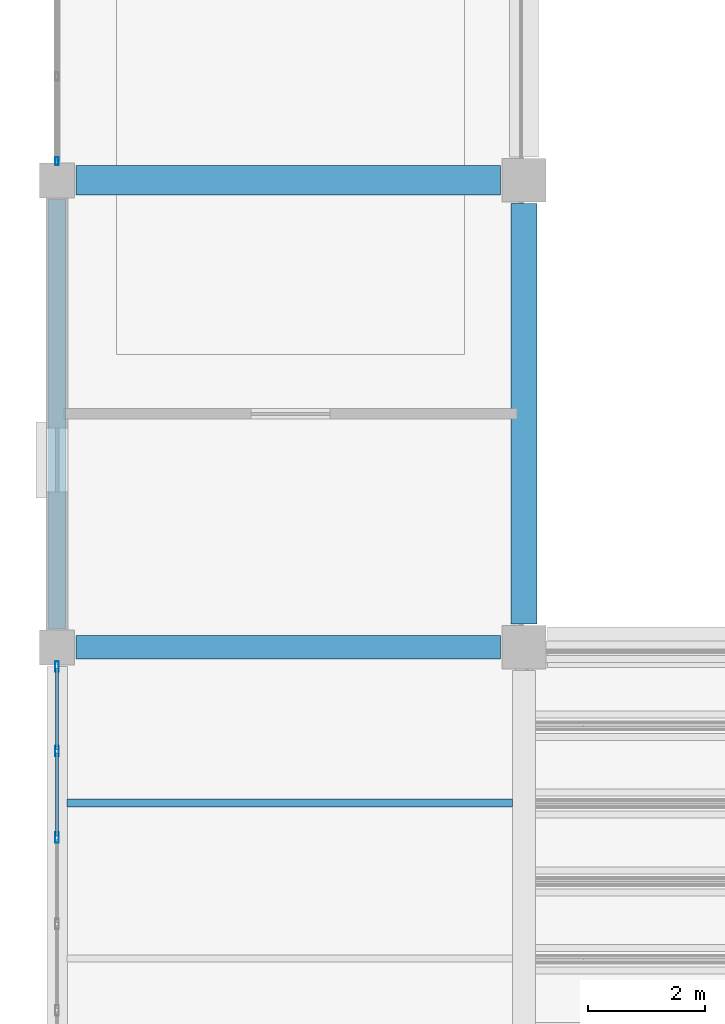
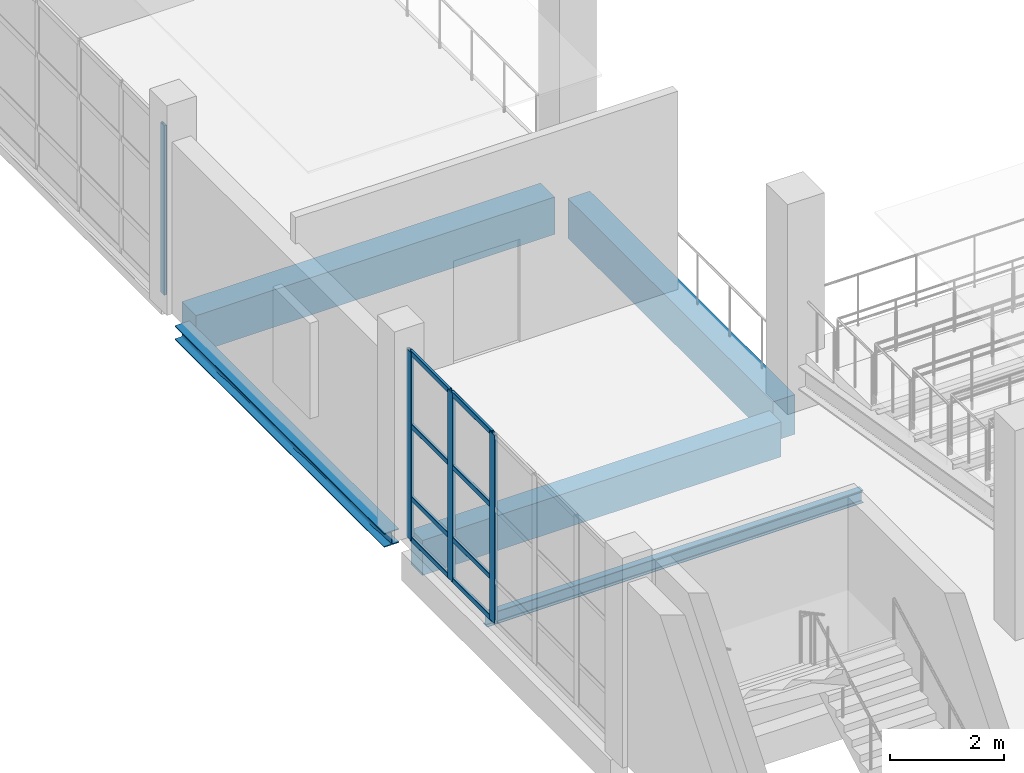
# One storey, part 43 of 183: 12 members, 5 beams, 2 elements without a shape of their own.
"""IFC4 building model written with IfcOpenShell, lengths in metres."""

from ifc_helpers import new_model, si_unit, direction, frame, origin, origin_2d, place, context, subcontext, project, spatial, rectangle, hollow_rectangle, i_section, extrude, material, material_profile, profile_set, type_object, element, aggregate, save


model = new_model("IFC4")

# Units and contexts
model_context = context("Model", 3, precision=1e-05, world=origin(), true_north=direction((0.0, 1.0)))
body_context = subcontext(model_context, "Body", "Model", "MODEL_VIEW")
ifc_project = project(units=[si_unit("LENGTHUNIT", "METRE"), si_unit("AREAUNIT", "SQUARE_METRE"), si_unit("VOLUMEUNIT", "CUBIC_METRE"), si_unit("PLANEANGLEUNIT", "RADIAN"), si_unit("MASSUNIT", "GRAM", prefix="KILO")], contexts=[model_context])

# Site, building, storey
site_placement = place(None, origin())
site = spatial("IfcSite", under=ifc_project, at=site_placement, CompositionType="ELEMENT")
building_placement = place(site_placement, origin())
building = spatial("IfcBuilding", under=site, at=building_placement, Name="Luwemba Playhouse", CompositionType="ELEMENT")
storey_placement = place(building_placement, frame((0.0, 0.0, 4.800048828125)))
storey = spatial("IfcBuildingStorey", under=building, at=storey_placement, Name="L01", CompositionType="ELEMENT", Elevation=4.800048828125)

# Beams
ifc_material_1 = material(Name="Concrete C40/50", Category="concrete")
ifc_material_profile_1 = material_profile(ifc_material_1, rectangle(XDim=0.39990234375, YDim=0.75, at=origin_2d()))
ifc_profile_set_1 = profile_set([ifc_material_profile_1], Name="Concrete C40/50")
beam_type_1 = type_object("IfcBeamType", Name="BM-RB03", PredefinedType="BEAM", material=ifc_profile_set_1)
beam_1_placement = place(storey_placement, frame((4.324951171875, 52.0, -0.625), z_axis=(1.0, 0.0, 0.0), x_axis=(0.0, 1.0, 0.0)))
element("IfcBeam", 1, at=beam_1_placement, inside=storey, type_object=beam_type_1, Name="L01 grid girder 0351", PredefinedType="BEAM", context=body_context, shape_type="SweptSolid", body=[
    extrude(rectangle(XDim=0.39990234375, YDim=0.75, at=origin_2d()), origin(), (0.0, 0.0, 1.0), 7.275146484375),
])
ifc_material_profile_2 = material_profile(ifc_material_1, rectangle(XDim=0.449951171875, YDim=0.85009765625, at=origin_2d()))
ifc_profile_set_2 = profile_set([ifc_material_profile_2], Name="Concrete C40/50")
beam_type_2 = type_object("IfcBeamType", Name="BM-RB05", PredefinedType="BEAM", material=ifc_profile_set_2)
beam_2_placement = place(storey_placement, frame((12.0, 52.39990234375, -0.675048828125), z_axis=(0.0, 1.0, 0.0), x_axis=(-1.0, 0.0, 0.0)))
element("IfcBeam", 2, at=beam_2_placement, inside=storey, type_object=beam_type_2, Name="L01 transverse girder 0362", PredefinedType="BEAM", context=body_context, shape_type="SweptSolid", body=[
    extrude(rectangle(XDim=0.449951171875, YDim=0.85009765625, at=origin_2d()), origin(), (0.0, 0.0, 1.0), 7.2001953125),
])
ifc_material_profile_3 = material_profile(ifc_material_1, rectangle(XDim=0.5, YDim=0.800048828125, at=origin_2d()))
ifc_profile_set_3 = profile_set([ifc_material_profile_3], Name="Concrete C40/50")
beam_type_3 = type_object("IfcBeamType", Name="BM-RB06", PredefinedType="BEAM", material=ifc_profile_set_3)
beam_3_placement = place(storey_placement, frame((4.324951171875, 60.0, -0.650146484375), z_axis=(1.0, 0.0, 0.0), x_axis=(0.0, 1.0, 0.0)))
element("IfcBeam", 3, at=beam_3_placement, inside=storey, type_object=beam_type_3, Name="L01 grid girder 0354", PredefinedType="BEAM", context=body_context, shape_type="SweptSolid", body=[
    extrude(rectangle(XDim=0.5, YDim=0.800048828125, at=origin_2d()), origin(), (0.0, 0.0, 1.0), 7.275146484375),
])
ifc_material_2 = material(Name="Steel S355", Category="steel")
ifc_material_profile_4 = material_profile(ifc_material_2, i_section(OverallWidth=0.135009765625, OverallDepth=0.27001953125, WebThickness=0.006591796875, FlangeThickness=0.01025390625, FilletRadius=0.014892578125, at=origin_2d()))
ifc_profile_set_4 = profile_set([ifc_material_profile_4], Name="Steel S355")
beam_type_4 = type_object("IfcBeamType", Name="BM-SJ04", PredefinedType="JOIST", material=ifc_profile_set_4)
beam_4_placement = place(storey_placement, frame((4.1708984375, 49.333251953125, -0.385009765625), z_axis=(1.0, 0.0, 0.0), x_axis=(0.0, 1.0, 0.0)))
element("IfcBeam", 4, at=beam_4_placement, inside=storey, type_object=beam_type_4, Name="L01 composite floor joist 0239", PredefinedType="JOIST", context=body_context, shape_type="SweptSolid", body=[
    extrude(i_section(OverallWidth=0.135009765625, OverallDepth=0.27001953125, WebThickness=0.006591796875, FlangeThickness=0.01025390625, FilletRadius=0.014892578125, at=origin_2d()), origin(), (0.0, 0.0, 1.0), 7.633056640625),
])
ifc_material_profile_5 = material_profile(ifc_material_2, i_section(OverallWidth=0.300048828125, OverallDepth=0.300048828125, WebThickness=0.010986328125, FlangeThickness=0.01904296875, FilletRadius=0.027099609375, at=origin_2d()))
ifc_profile_set_5 = profile_set([ifc_material_profile_5], Name="Steel S355")
beam_type_5 = type_object("IfcBeamType", Name="BM-SSP1", PredefinedType="SPANDREL", material=ifc_profile_set_5)
beam_5_placement = place(storey_placement, frame((4.0, 52.324951171875, -0.400146484375), z_axis=(0.0, 1.0, 0.0), x_axis=(-1.0, 0.0, 0.0)))
element("IfcBeam", 5, at=beam_5_placement, inside=storey, type_object=beam_type_5, Name="L01 transverse girder 0358", PredefinedType="SPANDREL", context=body_context, shape_type="SweptSolid", body=[
    extrude(i_section(OverallWidth=0.300048828125, OverallDepth=0.300048828125, WebThickness=0.010986328125, FlangeThickness=0.01904296875, FilletRadius=0.027099609375, at=origin_2d()), origin(), (0.0, 0.0, 1.0), 7.35009765625),
])

# Curtain wall, members
ifc_material_3 = material(Name="Solar-control double glazing", Category="glass")
curtain_wall_type_1 = type_object("IfcCurtainWallType", Name="CW-CW71", PredefinedType="USERDEFINED", material=ifc_material_3)
curtain_wall_1_placement = place(storey_placement, origin())
curtain_wall_1 = element("IfcCurtainWall", 6, at=curtain_wall_1_placement, inside=storey, type_object=curtain_wall_type_1, Name="L01 V1 unitised curtain wall 095", ObjectType="UNITISED GLAZING", PredefinedType="USERDEFINED")
ifc_material_4 = material(Name="Aluminium 6063-T6", Category="aluminium")
ifc_material_profile_6 = material_profile(ifc_material_4, hollow_rectangle(XDim=0.06494140625, YDim=0.179931640625, WallThickness=0.00439453125, InnerFilletRadius=0.0068359375, OuterFilletRadius=0.01123046875, at=origin_2d()))
ifc_profile_set_6 = profile_set([ifc_material_profile_6], Name="Aluminium 6063-T6")
member_type_1 = type_object("IfcMemberType", Name="CWM-M2", PredefinedType="MULLION", material=ifc_profile_set_6)
member_1_placement = place(storey_placement, frame((4.0, 48.739990234375, 0.0), z_axis=(0.0, 0.0, 1.0), x_axis=(-1.0, 0.0, 0.0)))
member_1 = element("IfcMember", 7, at=member_1_placement, type_object=member_type_1, Name="CW71 mullion 4", PredefinedType="MULLION", context=body_context, shape_type="SweptSolid", body=[
    extrude(hollow_rectangle(XDim=0.06494140625, YDim=0.179931640625, WallThickness=0.00439453125, InnerFilletRadius=0.0068359375, OuterFilletRadius=0.01123046875, at=origin_2d()), origin(), (0.0, 0.0, 1.0), 4.034912109375),
])
member_2_placement = place(storey_placement, frame((4.0, 50.219970703125, 0.0), z_axis=(0.0, 0.0, 1.0), x_axis=(-1.0, 0.0, 0.0)))
member_2 = element("IfcMember", 8, at=member_2_placement, type_object=member_type_1, Name="CW71 mullion 5", PredefinedType="MULLION", context=body_context, shape_type="SweptSolid", body=[
    extrude(hollow_rectangle(XDim=0.06494140625, YDim=0.179931640625, WallThickness=0.00439453125, InnerFilletRadius=0.0068359375, OuterFilletRadius=0.01123046875, at=origin_2d()), origin(), (0.0, 0.0, 1.0), 4.034912109375),
])
member_3_placement = place(storey_placement, frame((4.0, 51.66748046875, 0.0), z_axis=(0.0, 0.0, 1.0), x_axis=(-1.0, 0.0, 0.0)))
member_3 = element("IfcMember", 9, at=member_3_placement, type_object=member_type_1, Name="CW71 mullion 6", PredefinedType="MULLION", context=body_context, shape_type="SweptSolid", body=[
    extrude(hollow_rectangle(XDim=0.06494140625, YDim=0.179931640625, WallThickness=0.00439453125, InnerFilletRadius=0.0068359375, OuterFilletRadius=0.01123046875, at=origin_2d()), origin(), (0.0, 0.0, 1.0), 4.034912109375),
])

# Curtain wall, member
curtain_wall_type_2 = type_object("IfcCurtainWallType", Name="CW-CW72", PredefinedType="USERDEFINED", material=ifc_material_3)
curtain_wall_2_placement = place(storey_placement, origin())
curtain_wall_2 = element("IfcCurtainWall", 10, at=curtain_wall_2_placement, inside=storey, type_object=curtain_wall_type_2, Name="L01 V1 unitised curtain wall 096", ObjectType="UNITISED GLAZING", PredefinedType="USERDEFINED")
ifc_material_profile_7 = material_profile(ifc_material_4, hollow_rectangle(XDim=0.054931640625, YDim=0.139892578125, WallThickness=0.00390625, InnerFilletRadius=0.006103515625, OuterFilletRadius=0.010009765625, at=origin_2d()))
ifc_profile_set_7 = profile_set([ifc_material_profile_7], Name="Aluminium 6063-T6")
member_type_2 = type_object("IfcMemberType", Name="CWM-M3", PredefinedType="MULLION", material=ifc_profile_set_7)
member_4_placement = place(storey_placement, frame((4.0, 60.327392578125, 0.0), z_axis=(0.0, 0.0, 1.0), x_axis=(-1.0, 0.0, 0.0)))
member_4 = element("IfcMember", 11, at=member_4_placement, type_object=member_type_2, Name="CW72 mullion 1", PredefinedType="MULLION", context=body_context, shape_type="SweptSolid", body=[
    extrude(hollow_rectangle(XDim=0.054931640625, YDim=0.139892578125, WallThickness=0.00390625, InnerFilletRadius=0.006103515625, OuterFilletRadius=0.010009765625, at=origin_2d()), origin(), (0.0, 0.0, 1.0), 3.635009765625),
])
aggregate(curtain_wall_2, [member_4])

# Member
ifc_material_profile_8 = material_profile(ifc_material_4, hollow_rectangle(XDim=0.054931640625, YDim=0.110107421875, WallThickness=0.00341796875, InnerFilletRadius=0.00537109375, OuterFilletRadius=0.0087890625, at=origin_2d()))
ifc_profile_set_8 = profile_set([ifc_material_profile_8], Name="Aluminium 6063-T6")
member_type_3 = type_object("IfcMemberType", Name="CWT-T2", PredefinedType="USERDEFINED", material=ifc_profile_set_8)
member_5_placement = place(storey_placement, frame((4.0, 48.7724609375, 0.02734375), z_axis=(0.0, 1.0, 0.0), x_axis=(-1.0, 0.0, 0.0)))
member_5 = element("IfcMember", 12, at=member_5_placement, type_object=member_type_3, Name="CW71 transom 4.1", ObjectType="TRANSOM", PredefinedType="USERDEFINED", context=body_context, shape_type="SweptSolid", body=[
    extrude(hollow_rectangle(XDim=0.054931640625, YDim=0.110107421875, WallThickness=0.00341796875, InnerFilletRadius=0.00537109375, OuterFilletRadius=0.0087890625, at=origin_2d()), origin(), (0.0, 0.0, 1.0), 1.4150390625),
])

member_6_placement = place(storey_placement, frame((4.0, 48.7724609375, 0.89990234375), z_axis=(0.0, 1.0, 0.0), x_axis=(-1.0, 0.0, 0.0)))
member_6 = element("IfcMember", 13, at=member_6_placement, type_object=member_type_3, Name="CW71 transom 4.2", ObjectType="TRANSOM", PredefinedType="USERDEFINED", context=body_context, shape_type="SweptSolid", body=[
    extrude(hollow_rectangle(XDim=0.054931640625, YDim=0.110107421875, WallThickness=0.00341796875, InnerFilletRadius=0.00537109375, OuterFilletRadius=0.0087890625, at=origin_2d()), origin(), (0.0, 0.0, 1.0), 1.4150390625),
])

member_7_placement = place(storey_placement, frame((4.0, 48.7724609375, 2.449951171875), z_axis=(0.0, 1.0, 0.0), x_axis=(-1.0, 0.0, 0.0)))
member_7 = element("IfcMember", 14, at=member_7_placement, type_object=member_type_3, Name="CW71 transom 4.3", ObjectType="TRANSOM", PredefinedType="USERDEFINED", context=body_context, shape_type="SweptSolid", body=[
    extrude(hollow_rectangle(XDim=0.054931640625, YDim=0.110107421875, WallThickness=0.00341796875, InnerFilletRadius=0.00537109375, OuterFilletRadius=0.0087890625, at=origin_2d()), origin(), (0.0, 0.0, 1.0), 1.4150390625),
])

member_8_placement = place(storey_placement, frame((4.0, 48.7724609375, 4.007568359375), z_axis=(0.0, 1.0, 0.0), x_axis=(-1.0, 0.0, 0.0)))
member_8 = element("IfcMember", 15, at=member_8_placement, type_object=member_type_3, Name="CW71 transom 4.4", ObjectType="TRANSOM", PredefinedType="USERDEFINED", context=body_context, shape_type="SweptSolid", body=[
    extrude(hollow_rectangle(XDim=0.054931640625, YDim=0.110107421875, WallThickness=0.00341796875, InnerFilletRadius=0.00537109375, OuterFilletRadius=0.0087890625, at=origin_2d()), origin(), (0.0, 0.0, 1.0), 1.4150390625),
])

member_9_placement = place(storey_placement, frame((4.0, 50.25244140625, 0.02734375), z_axis=(0.0, 1.0, 0.0), x_axis=(-1.0, 0.0, 0.0)))
member_9 = element("IfcMember", 16, at=member_9_placement, type_object=member_type_3, Name="CW71 transom 5.1", ObjectType="TRANSOM", PredefinedType="USERDEFINED", context=body_context, shape_type="SweptSolid", body=[
    extrude(hollow_rectangle(XDim=0.054931640625, YDim=0.110107421875, WallThickness=0.00341796875, InnerFilletRadius=0.00537109375, OuterFilletRadius=0.0087890625, at=origin_2d()), origin(), (0.0, 0.0, 1.0), 1.382568359375),
])

member_10_placement = place(storey_placement, frame((4.0, 50.25244140625, 0.89990234375), z_axis=(0.0, 1.0, 0.0), x_axis=(-1.0, 0.0, 0.0)))
member_10 = element("IfcMember", 17, at=member_10_placement, type_object=member_type_3, Name="CW71 transom 5.2", ObjectType="TRANSOM", PredefinedType="USERDEFINED", context=body_context, shape_type="SweptSolid", body=[
    extrude(hollow_rectangle(XDim=0.054931640625, YDim=0.110107421875, WallThickness=0.00341796875, InnerFilletRadius=0.00537109375, OuterFilletRadius=0.0087890625, at=origin_2d()), origin(), (0.0, 0.0, 1.0), 1.382568359375),
])

member_11_placement = place(storey_placement, frame((4.0, 50.25244140625, 2.449951171875), z_axis=(0.0, 1.0, 0.0), x_axis=(-1.0, 0.0, 0.0)))
member_11 = element("IfcMember", 18, at=member_11_placement, type_object=member_type_3, Name="CW71 transom 5.3", ObjectType="TRANSOM", PredefinedType="USERDEFINED", context=body_context, shape_type="SweptSolid", body=[
    extrude(hollow_rectangle(XDim=0.054931640625, YDim=0.110107421875, WallThickness=0.00341796875, InnerFilletRadius=0.00537109375, OuterFilletRadius=0.0087890625, at=origin_2d()), origin(), (0.0, 0.0, 1.0), 1.382568359375),
])

member_12_placement = place(storey_placement, frame((4.0, 50.25244140625, 4.007568359375), z_axis=(0.0, 1.0, 0.0), x_axis=(-1.0, 0.0, 0.0)))
member_12 = element("IfcMember", 19, at=member_12_placement, type_object=member_type_3, Name="CW71 transom 5.4", ObjectType="TRANSOM", PredefinedType="USERDEFINED", context=body_context, shape_type="SweptSolid", body=[
    extrude(hollow_rectangle(XDim=0.054931640625, YDim=0.110107421875, WallThickness=0.00341796875, InnerFilletRadius=0.00537109375, OuterFilletRadius=0.0087890625, at=origin_2d()), origin(), (0.0, 0.0, 1.0), 1.382568359375),
])

aggregate(curtain_wall_1, [member_1, member_2, member_3, member_5, member_6, member_7, member_8, member_9, member_10, member_11, member_12])

save(model, "model.ifc")
